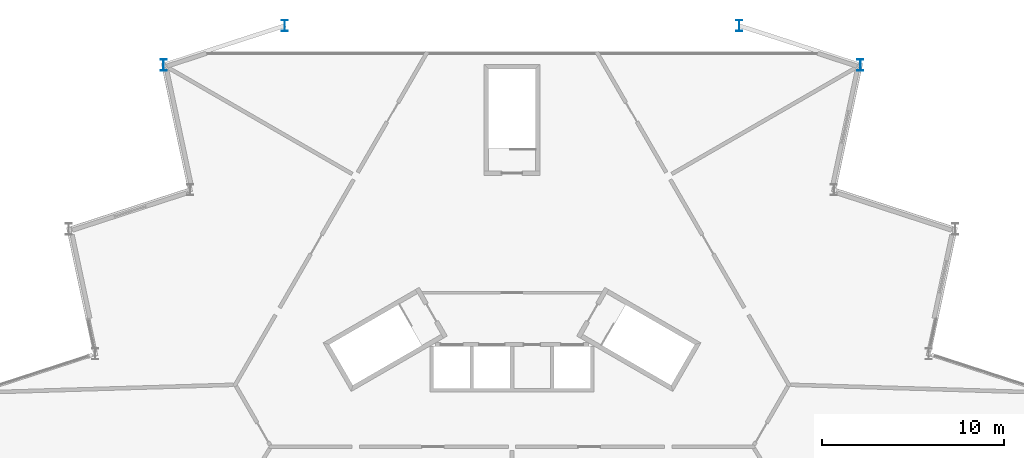
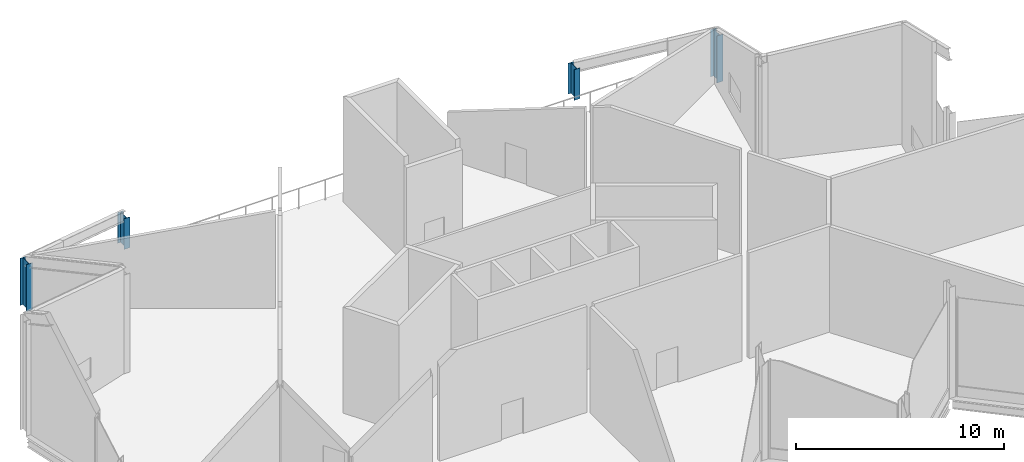
# One storey, part 3 of 10: 4 columns.
"""IFC4 building model written with IfcOpenShell, lengths in metres."""

from ifc_helpers import new_model, si_unit, direction, frame, origin, origin_2d, place, context, subcontext, project, spatial, i_section, extrude, material, material_profile, profile_set, type_object, element, save


model = new_model("IFC4")

# Units and contexts
model_context = context("Model", 3, precision=1e-05, world=origin(), true_north=direction((0.0, 1.0)))
body_context = subcontext(model_context, "Body", "Model", "MODEL_VIEW")
ifc_project = project(units=[si_unit("LENGTHUNIT", "METRE"), si_unit("AREAUNIT", "SQUARE_METRE"), si_unit("VOLUMEUNIT", "CUBIC_METRE"), si_unit("PLANEANGLEUNIT", "RADIAN"), si_unit("MASSUNIT", "GRAM", prefix="KILO")], contexts=[model_context])

# Site, building, storey
site_placement = place(None, origin())
site = spatial("IfcSite", under=ifc_project, at=site_placement, CompositionType="ELEMENT")
building_placement = place(site_placement, origin())
building = spatial("IfcBuilding", under=site, at=building_placement, Name="Cormorant Prow Tower", CompositionType="ELEMENT")
storey_placement = place(building_placement, frame((0.0, 0.0, 441.199951171875)))
storey = spatial("IfcBuildingStorey", under=building, at=storey_placement, Name="L98", CompositionType="ELEMENT", Elevation=441.199951171875)

# Columns
ifc_material = material(Name="Structural steel ASTM A992 Gr 50", Category="steel")
ifc_material_profile = material_profile(ifc_material, i_section(OverallWidth=0.326416015625, OverallDepth=0.621826171875, WebThickness=0.015380859375, FlangeThickness=0.0244140625, at=origin_2d()), Name="W24x131")
ifc_profile_set = profile_set([ifc_material_profile], Name="Structural steel ASTM A992 Gr 50")
column_type = type_object("IfcColumnType", Name="Crown frame column W24x131", PredefinedType="COLUMN", material=ifc_profile_set)
column_1_placement = place(storey_placement, frame((19.128662109375, 11.0439453125, 0.0), z_axis=(0.0, 0.0, 1.0), x_axis=(1.0, 0.0, 0.0)))
element("IfcColumn", 1, at=column_1_placement, inside=storey, type_object=column_type, Name="Crown frame column at ENE05 L98", PredefinedType="COLUMN", context=body_context, shape_type="SweptSolid", body=[
    extrude(i_section(OverallWidth=0.326416015625, OverallDepth=0.621826171875, WebThickness=0.015380859375, FlangeThickness=0.0244140625, at=origin_2d()), origin(), (0.0, 0.0, 1.0), 2.752685546875),
])
for number, where, z_axis, x_axis, name in (
    (2, (12.473876953125, 13.206298828125, 0.0), (0.0, 0.0, 1.0), (1.0, 0.0, 0.0), "Crown frame column at ENE06 L98"),
    (3, (-12.473876953125, 13.206298828125, 0.0), (0.0, 0.0, 1.0), (1.0, 0.0, 0.0), "Crown frame column at WNW04 L98"),
):
    element("IfcColumn", number, at=place(storey_placement, frame(where, z_axis=z_axis, x_axis=x_axis)), inside=storey, type_object=column_type, Name=name, PredefinedType="COLUMN", context=body_context, shape_type="SweptSolid", body=[
        extrude(i_section(OverallWidth=0.326416015625, OverallDepth=0.621826171875, WebThickness=0.015380859375, FlangeThickness=0.0244140625, at=origin_2d()), origin(), (0.0, 0.0, 1.0), 1.79541015625),
    ])
column_2_placement = place(storey_placement, frame((-19.128662109375, 11.0439453125, 0.0), z_axis=(0.0, 0.0, 1.0), x_axis=(1.0, 0.0, 0.0)))
element("IfcColumn", 4, at=column_2_placement, inside=storey, type_object=column_type, Name="Crown frame column at WNW05 L98", PredefinedType="COLUMN", context=body_context, shape_type="SweptSolid", body=[
    extrude(i_section(OverallWidth=0.326416015625, OverallDepth=0.621826171875, WebThickness=0.015380859375, FlangeThickness=0.0244140625, at=origin_2d()), origin(), (0.0, 0.0, 1.0), 2.752685546875),
])

save(model, "model.ifc")
